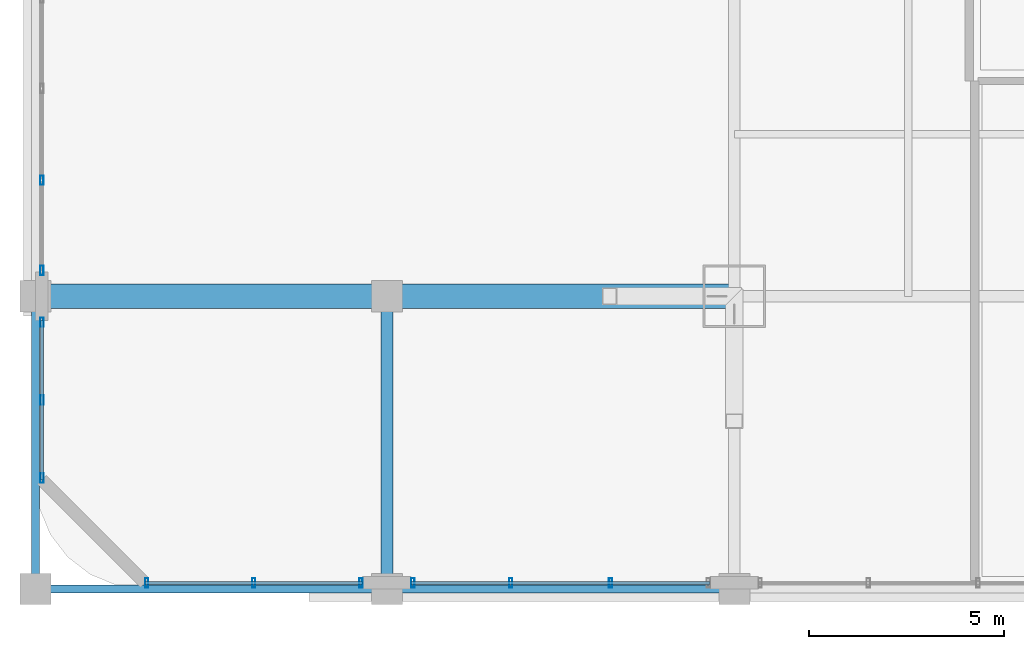
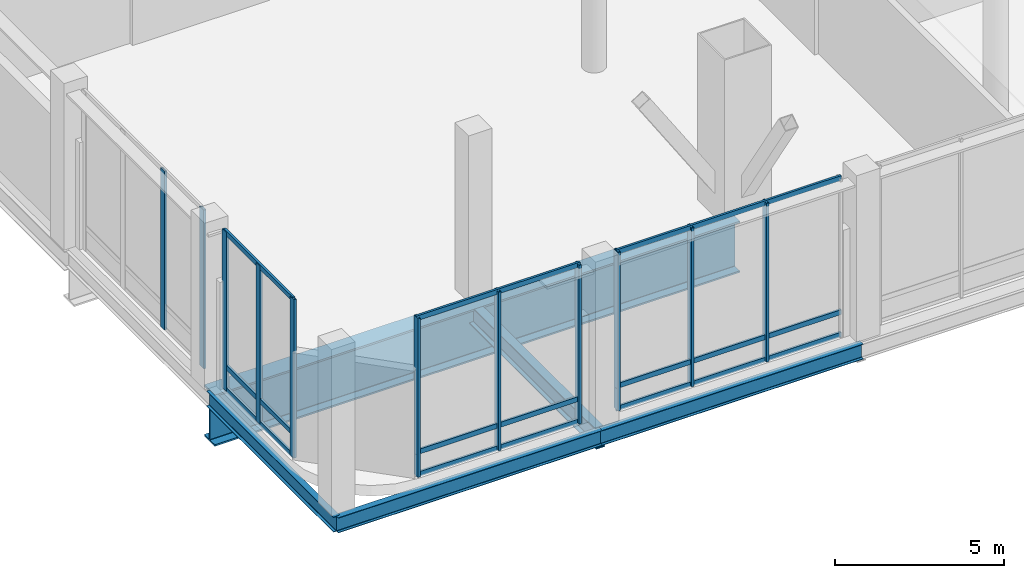
# One storey, part 2 of 38: 20 members, 5 beams, 4 elements without a shape of their own.
"""IFC4 building model written with IfcOpenShell, lengths in metres."""

from ifc_helpers import new_model, si_unit, direction, frame, origin, origin_2d, place, context, subcontext, project, spatial, hollow_rectangle, i_section, extrude, material, material_profile, profile_set, type_object, element, aggregate, save


model = new_model("IFC4")

# Units and contexts
model_context = context("Model", 3, precision=1e-05, world=origin(), true_north=direction((0.0, 1.0)))
body_context = subcontext(model_context, "Body", "Model", "MODEL_VIEW")
ifc_project = project(units=[si_unit("LENGTHUNIT", "METRE"), si_unit("AREAUNIT", "SQUARE_METRE"), si_unit("VOLUMEUNIT", "CUBIC_METRE"), si_unit("PLANEANGLEUNIT", "RADIAN"), si_unit("MASSUNIT", "GRAM", prefix="KILO")], contexts=[model_context])

# Site, building, storey
site_placement = place(None, origin())
site = spatial("IfcSite", under=ifc_project, at=site_placement, CompositionType="ELEMENT")
building_placement = place(site_placement, origin())
building = spatial("IfcBuilding", under=site, at=building_placement, Name="Punatoya Terracotta Tower", CompositionType="ELEMENT")
storey_placement = place(building_placement, frame((0.0, 0.0, 22.199951171875)))
storey = spatial("IfcBuildingStorey", under=building, at=storey_placement, Name="L04", CompositionType="ELEMENT", Elevation=22.199951171875)

# Beams
ifc_material_1 = material(Name="Steel S355", Category="steel")
ifc_material_profile_1 = material_profile(ifc_material_1, i_section(OverallWidth=0.300048828125, OverallDepth=0.699951171875, WebThickness=0.01708984375, FlangeThickness=0.031982421875, FilletRadius=0.01806640625, at=origin_2d()))
ifc_profile_set_1 = profile_set([ifc_material_profile_1], Name="Steel S355")
beam_type_1 = type_object("IfcBeamType", Name="BM-PRI-700", PredefinedType="BEAM", material=ifc_profile_set_1)
beam_1_placement = place(storey_placement, frame((-28.0, -25.0, -0.72998046875), z_axis=(0.0, 1.0, 0.0), x_axis=(-1.0, 0.0, 0.0)))
element("IfcBeam", 1, at=beam_1_placement, inside=storey, type_object=beam_type_1, Name="BM-L04-X28W--25", PredefinedType="BEAM", context=body_context, shape_type="SweptSolid", body=[
    extrude(i_section(OverallWidth=0.300048828125, OverallDepth=0.699951171875, WebThickness=0.01708984375, FlangeThickness=0.031982421875, FilletRadius=0.01806640625, at=origin_2d()), origin(), (0.0, 0.0, 1.0), 7.5),
])
ifc_material_profile_2 = material_profile(ifc_material_1, i_section(OverallWidth=0.2099609375, OverallDepth=0.550048828125, WebThickness=0.010986328125, FlangeThickness=0.01708984375, FilletRadius=0.01806640625, at=origin_2d()))
ifc_profile_set_2 = profile_set([ifc_material_profile_2], Name="Steel S355")
beam_type_2 = type_object("IfcBeamType", Name="BM-SPN-550", PredefinedType="SPANDREL", material=ifc_profile_set_2)
beam_2_placement = place(storey_placement, frame((-37.0, -25.0, -0.655029296875), z_axis=(1.0, 0.0, 0.0), x_axis=(0.0, 1.0, 0.0)))
element("IfcBeam", 2, at=beam_2_placement, inside=storey, type_object=beam_type_2, Name="BM-L04-AW1", PredefinedType="SPANDREL", context=body_context, shape_type="SweptSolid", body=[
    extrude(i_section(OverallWidth=0.2099609375, OverallDepth=0.550048828125, WebThickness=0.010986328125, FlangeThickness=0.01708984375, FilletRadius=0.01806640625, at=origin_2d()), origin(), (0.0, 0.0, 1.0), 9.0),
])
beam_3_placement = place(storey_placement, frame((-28.0, -25.0, -0.655029296875), z_axis=(1.0, 0.0, 0.0), x_axis=(0.0, 1.0, 0.0)))
element("IfcBeam", 3, at=beam_3_placement, inside=storey, type_object=beam_type_2, Name="BM-L04-AW2", PredefinedType="SPANDREL", context=body_context, shape_type="SweptSolid", body=[
    extrude(i_section(OverallWidth=0.2099609375, OverallDepth=0.550048828125, WebThickness=0.010986328125, FlangeThickness=0.01708984375, FilletRadius=0.01806640625, at=origin_2d()), origin(), (0.0, 0.0, 1.0), 8.89990234375),
])
beam_4_placement = place(storey_placement, frame((-37.0, -25.0, -0.655029296875), z_axis=(0.0, 1.0, 0.0), x_axis=(-1.0, 0.0, 0.0)))
element("IfcBeam", 4, at=beam_4_placement, inside=storey, type_object=beam_type_2, Name="BM-L04-X37W--25", PredefinedType="SPANDREL", context=body_context, shape_type="SweptSolid", body=[
    extrude(i_section(OverallWidth=0.2099609375, OverallDepth=0.550048828125, WebThickness=0.010986328125, FlangeThickness=0.01708984375, FilletRadius=0.01806640625, at=origin_2d()), origin(), (0.0, 0.0, 1.0), 7.5),
])
ifc_material_2 = material(Name="Steel S460", Category="steel")
ifc_material_profile_3 = material_profile(ifc_material_2, i_section(OverallWidth=0.6201171875, OverallDepth=1.85009765625, WebThickness=0.0400390625, FlangeThickness=0.06005859375, FilletRadius=0.01806640625, at=origin_2d()))
ifc_profile_set_3 = profile_set([ifc_material_profile_3], Name="Steel S460")
beam_type_3 = type_object("IfcBeamType", Name="BM-TG-AUD", PredefinedType="BEAM", material=ifc_profile_set_3)
beam_5_placement = place(storey_placement, frame((-37.0, -17.5, -1.304931640625), z_axis=(1.0, 0.0, 0.0), x_axis=(0.0, 1.0, 0.0)))
element("IfcBeam", 5, at=beam_5_placement, inside=storey, type_object=beam_type_3, Name="L04 Auditorium Transfer Girder TG-01 (B)", PredefinedType="BEAM", context=body_context, shape_type="SweptSolid", body=[
    extrude(i_section(OverallWidth=0.6201171875, OverallDepth=1.85009765625, WebThickness=0.0400390625, FlangeThickness=0.06005859375, FilletRadius=0.01806640625, at=origin_2d()), origin(), (0.0, 0.0, 1.0), 17.89990234375),
])

# Curtain wall, members
ifc_material_3 = material(Name="Aluminium 6063-T6 + Double Low-E Glass", Category="aluminium")
curtain_wall_type = type_object("IfcCurtainWallType", Name="CW-POD", PredefinedType="NOTDEFINED", material=ifc_material_3)
curtain_wall_1_placement = place(storey_placement, origin())
curtain_wall_1 = element("IfcCurtainWall", 6, at=curtain_wall_1_placement, inside=storey, type_object=curtain_wall_type, Name="L04 Curtain Wall CWP-L04-S1", PredefinedType="NOTDEFINED")
ifc_material_4 = material(Name="Aluminium 6063-T6", Category="aluminium")
ifc_material_profile_4 = material_profile(ifc_material_4, hollow_rectangle(XDim=0.0849609375, YDim=0.239990234375, WallThickness=0.0048828125, at=origin_2d()))
ifc_profile_set_4 = profile_set([ifc_material_profile_4], Name="Aluminium 6063-T6")
member_type_1 = type_object("IfcMemberType", Name="CW-MUL-POD", PredefinedType="MULLION", material=ifc_profile_set_4)
member_1_placement = place(storey_placement, frame((-34.155029296875, -24.840087890625, 0.0), z_axis=(0.0, 0.0, 1.0), x_axis=(1.0, 0.0, 0.0)))
member_1 = element("IfcMember", 7, at=member_1_placement, type_object=member_type_1, Name="CWP-L04-S1 Mullion 00", PredefinedType="MULLION", context=body_context, shape_type="SweptSolid", body=[
    extrude(hollow_rectangle(XDim=0.0849609375, YDim=0.239990234375, WallThickness=0.0048828125, at=origin_2d()), origin(), (0.0, 0.0, 1.0), 5.719970703125),
])
member_2_placement = place(storey_placement, frame((-31.409912109375, -24.840087890625, 0.0), z_axis=(0.0, 0.0, 1.0), x_axis=(1.0, 0.0, 0.0)))
member_2 = element("IfcMember", 8, at=member_2_placement, type_object=member_type_1, Name="CWP-L04-S1 Mullion 01", PredefinedType="MULLION", context=body_context, shape_type="SweptSolid", body=[
    extrude(hollow_rectangle(XDim=0.0849609375, YDim=0.239990234375, WallThickness=0.0048828125, at=origin_2d()), origin(), (0.0, 0.0, 1.0), 5.719970703125),
])
member_3_placement = place(storey_placement, frame((-28.6650390625, -24.840087890625, 0.0), z_axis=(0.0, 0.0, 1.0), x_axis=(1.0, 0.0, 0.0)))
member_3 = element("IfcMember", 9, at=member_3_placement, type_object=member_type_1, Name="CWP-L04-S1 Mullion 02", PredefinedType="MULLION", context=body_context, shape_type="SweptSolid", body=[
    extrude(hollow_rectangle(XDim=0.0849609375, YDim=0.239990234375, WallThickness=0.0048828125, at=origin_2d()), origin(), (0.0, 0.0, 1.0), 5.719970703125),
])

curtain_wall_2_placement = place(storey_placement, origin())
curtain_wall_2 = element("IfcCurtainWall", 10, at=curtain_wall_2_placement, inside=storey, type_object=curtain_wall_type, Name="L04 Curtain Wall CWP-L04-S2", PredefinedType="NOTDEFINED")
member_4_placement = place(storey_placement, frame((-27.3349609375, -24.840087890625, 0.0), z_axis=(0.0, 0.0, 1.0), x_axis=(1.0, 0.0, 0.0)))
member_4 = element("IfcMember", 11, at=member_4_placement, type_object=member_type_1, Name="CWP-L04-S2 Mullion 00", PredefinedType="MULLION", context=body_context, shape_type="SweptSolid", body=[
    extrude(hollow_rectangle(XDim=0.0849609375, YDim=0.239990234375, WallThickness=0.0048828125, at=origin_2d()), origin(), (0.0, 0.0, 1.0), 5.719970703125),
])
member_5_placement = place(storey_placement, frame((-24.82666015625, -24.840087890625, 0.0), z_axis=(0.0, 0.0, 1.0), x_axis=(1.0, 0.0, 0.0)))
member_5 = element("IfcMember", 12, at=member_5_placement, type_object=member_type_1, Name="CWP-L04-S2 Mullion 01", PredefinedType="MULLION", context=body_context, shape_type="SweptSolid", body=[
    extrude(hollow_rectangle(XDim=0.0849609375, YDim=0.239990234375, WallThickness=0.0048828125, at=origin_2d()), origin(), (0.0, 0.0, 1.0), 5.719970703125),
])
member_6_placement = place(storey_placement, frame((-22.273193359375, -24.840087890625, 0.0), z_axis=(0.0, 0.0, 1.0), x_axis=(1.0, 0.0, 0.0)))
member_6 = element("IfcMember", 13, at=member_6_placement, type_object=member_type_1, Name="CWP-L04-S2 Mullion 02", PredefinedType="MULLION", context=body_context, shape_type="SweptSolid", body=[
    extrude(hollow_rectangle(XDim=0.0849609375, YDim=0.239990234375, WallThickness=0.0048828125, at=origin_2d()), origin(), (0.0, 0.0, 1.0), 5.719970703125),
])

curtain_wall_3_placement = place(storey_placement, origin())
curtain_wall_3 = element("IfcCurtainWall", 14, at=curtain_wall_3_placement, inside=storey, type_object=curtain_wall_type, Name="L04 Curtain Wall CWP-L04-W1", PredefinedType="NOTDEFINED")
member_7_placement = place(storey_placement, frame((-36.840087890625, -22.155029296875, 0.0), z_axis=(0.0, 0.0, 1.0), x_axis=(1.0, 0.0, 0.0)))
member_7 = element("IfcMember", 15, at=member_7_placement, type_object=member_type_1, Name="CWP-L04-W1 Mullion 00", PredefinedType="MULLION", context=body_context, shape_type="SweptSolid", body=[
    extrude(hollow_rectangle(XDim=0.0849609375, YDim=0.239990234375, WallThickness=0.0048828125, at=origin_2d()), origin(), (0.0, 0.0, 1.0), 5.719970703125),
])
member_8_placement = place(storey_placement, frame((-36.840087890625, -20.159912109375, 0.0), z_axis=(0.0, 0.0, 1.0), x_axis=(1.0, 0.0, 0.0)))
member_8 = element("IfcMember", 16, at=member_8_placement, type_object=member_type_1, Name="CWP-L04-W1 Mullion 01", PredefinedType="MULLION", context=body_context, shape_type="SweptSolid", body=[
    extrude(hollow_rectangle(XDim=0.0849609375, YDim=0.239990234375, WallThickness=0.0048828125, at=origin_2d()), origin(), (0.0, 0.0, 1.0), 5.719970703125),
])
member_9_placement = place(storey_placement, frame((-36.840087890625, -18.1650390625, 0.0), z_axis=(0.0, 0.0, 1.0), x_axis=(1.0, 0.0, 0.0)))
member_9 = element("IfcMember", 17, at=member_9_placement, type_object=member_type_1, Name="CWP-L04-W1 Mullion 02", PredefinedType="MULLION", context=body_context, shape_type="SweptSolid", body=[
    extrude(hollow_rectangle(XDim=0.0849609375, YDim=0.239990234375, WallThickness=0.0048828125, at=origin_2d()), origin(), (0.0, 0.0, 1.0), 5.719970703125),
])

curtain_wall_4_placement = place(storey_placement, origin())
curtain_wall_4 = element("IfcCurtainWall", 18, at=curtain_wall_4_placement, inside=storey, type_object=curtain_wall_type, Name="L04 Curtain Wall CWP-L04-W2", PredefinedType="NOTDEFINED")
member_10_placement = place(storey_placement, frame((-36.840087890625, -16.8349609375, 0.0), z_axis=(0.0, 0.0, 1.0), x_axis=(1.0, 0.0, 0.0)))
member_10 = element("IfcMember", 19, at=member_10_placement, type_object=member_type_1, Name="CWP-L04-W2 Mullion 00", PredefinedType="MULLION", context=body_context, shape_type="SweptSolid", body=[
    extrude(hollow_rectangle(XDim=0.0849609375, YDim=0.239990234375, WallThickness=0.0048828125, at=origin_2d()), origin(), (0.0, 0.0, 1.0), 5.719970703125),
])
member_11_placement = place(storey_placement, frame((-36.840087890625, -14.526611328125, 0.0), z_axis=(0.0, 0.0, 1.0), x_axis=(1.0, 0.0, 0.0)))
member_11 = element("IfcMember", 20, at=member_11_placement, type_object=member_type_1, Name="CWP-L04-W2 Mullion 01", PredefinedType="MULLION", context=body_context, shape_type="SweptSolid", body=[
    extrude(hollow_rectangle(XDim=0.0849609375, YDim=0.239990234375, WallThickness=0.0048828125, at=origin_2d()), origin(), (0.0, 0.0, 1.0), 5.719970703125),
])
aggregate(curtain_wall_4, [member_10, member_11])

# Member
ifc_material_profile_5 = material_profile(ifc_material_4, hollow_rectangle(XDim=0.074951171875, YDim=0.175048828125, WallThickness=0.00439453125, at=origin_2d()))
ifc_profile_set_5 = profile_set([ifc_material_profile_5], Name="Aluminium 6063-T6")
member_type_2 = type_object("IfcMemberType", Name="CW-TRN-POD", PredefinedType="USERDEFINED", material=ifc_profile_set_5)
member_12_placement = place(storey_placement, frame((-34.199951171875, -24.840087890625, 0.0400390625), z_axis=(1.0, 0.0, 0.0), x_axis=(0.0, 1.0, 0.0)))
member_12 = element("IfcMember", 21, at=member_12_placement, type_object=member_type_2, Name="CWP-L04-S1 Transom 1", ObjectType="TRANSOM", PredefinedType="USERDEFINED", context=body_context, shape_type="SweptSolid", body=[
    extrude(hollow_rectangle(XDim=0.074951171875, YDim=0.175048828125, WallThickness=0.00439453125, at=origin_2d()), origin(), (0.0, 0.0, 1.0), 5.579833984375),
])

member_13_placement = place(storey_placement, frame((-34.199951171875, -24.840087890625, 0.85009765625), z_axis=(1.0, 0.0, 0.0), x_axis=(0.0, 1.0, 0.0)))
member_13 = element("IfcMember", 22, at=member_13_placement, type_object=member_type_2, Name="CWP-L04-S1 Transom 2", ObjectType="TRANSOM", PredefinedType="USERDEFINED", context=body_context, shape_type="SweptSolid", body=[
    extrude(hollow_rectangle(XDim=0.074951171875, YDim=0.175048828125, WallThickness=0.00439453125, at=origin_2d()), origin(), (0.0, 0.0, 1.0), 5.579833984375),
])

member_14_placement = place(storey_placement, frame((-34.199951171875, -24.840087890625, 5.679931640625), z_axis=(1.0, 0.0, 0.0), x_axis=(0.0, 1.0, 0.0)))
member_14 = element("IfcMember", 23, at=member_14_placement, type_object=member_type_2, Name="CWP-L04-S1 Transom 3", ObjectType="TRANSOM", PredefinedType="USERDEFINED", context=body_context, shape_type="SweptSolid", body=[
    extrude(hollow_rectangle(XDim=0.074951171875, YDim=0.175048828125, WallThickness=0.00439453125, at=origin_2d()), origin(), (0.0, 0.0, 1.0), 5.579833984375),
])

aggregate(curtain_wall_1, [member_1, member_2, member_3, member_12, member_13, member_14])

member_15_placement = place(storey_placement, frame((-27.3798828125, -24.840087890625, 0.0400390625), z_axis=(1.0, 0.0, 0.0), x_axis=(0.0, 1.0, 0.0)))
member_15 = element("IfcMember", 24, at=member_15_placement, type_object=member_type_2, Name="CWP-L04-S2 Transom 1", ObjectType="TRANSOM", PredefinedType="USERDEFINED", context=body_context, shape_type="SweptSolid", body=[
    extrude(hollow_rectangle(XDim=0.074951171875, YDim=0.175048828125, WallThickness=0.00439453125, at=origin_2d()), origin(), (0.0, 0.0, 1.0), 7.659912109375),
])

member_16_placement = place(storey_placement, frame((-27.3798828125, -24.840087890625, 0.85009765625), z_axis=(1.0, 0.0, 0.0), x_axis=(0.0, 1.0, 0.0)))
member_16 = element("IfcMember", 25, at=member_16_placement, type_object=member_type_2, Name="CWP-L04-S2 Transom 2", ObjectType="TRANSOM", PredefinedType="USERDEFINED", context=body_context, shape_type="SweptSolid", body=[
    extrude(hollow_rectangle(XDim=0.074951171875, YDim=0.175048828125, WallThickness=0.00439453125, at=origin_2d()), origin(), (0.0, 0.0, 1.0), 7.659912109375),
])

member_17_placement = place(storey_placement, frame((-27.3798828125, -24.840087890625, 5.679931640625), z_axis=(1.0, 0.0, 0.0), x_axis=(0.0, 1.0, 0.0)))
member_17 = element("IfcMember", 26, at=member_17_placement, type_object=member_type_2, Name="CWP-L04-S2 Transom 3", ObjectType="TRANSOM", PredefinedType="USERDEFINED", context=body_context, shape_type="SweptSolid", body=[
    extrude(hollow_rectangle(XDim=0.074951171875, YDim=0.175048828125, WallThickness=0.00439453125, at=origin_2d()), origin(), (0.0, 0.0, 1.0), 7.659912109375),
])

aggregate(curtain_wall_2, [member_4, member_5, member_6, member_15, member_16, member_17])

member_18_placement = place(storey_placement, frame((-36.840087890625, -22.199951171875, 0.0400390625), z_axis=(0.0, 1.0, 0.0), x_axis=(-1.0, 0.0, 0.0)))
member_18 = element("IfcMember", 27, at=member_18_placement, type_object=member_type_2, Name="CWP-L04-W1 Transom 1", ObjectType="TRANSOM", PredefinedType="USERDEFINED", context=body_context, shape_type="SweptSolid", body=[
    extrude(hollow_rectangle(XDim=0.074951171875, YDim=0.175048828125, WallThickness=0.00439453125, at=origin_2d()), origin(), (0.0, 0.0, 1.0), 4.079833984375),
])

member_19_placement = place(storey_placement, frame((-36.840087890625, -22.199951171875, 0.85009765625), z_axis=(0.0, 1.0, 0.0), x_axis=(-1.0, 0.0, 0.0)))
member_19 = element("IfcMember", 28, at=member_19_placement, type_object=member_type_2, Name="CWP-L04-W1 Transom 2", ObjectType="TRANSOM", PredefinedType="USERDEFINED", context=body_context, shape_type="SweptSolid", body=[
    extrude(hollow_rectangle(XDim=0.074951171875, YDim=0.175048828125, WallThickness=0.00439453125, at=origin_2d()), origin(), (0.0, 0.0, 1.0), 4.079833984375),
])

member_20_placement = place(storey_placement, frame((-36.840087890625, -22.199951171875, 5.679931640625), z_axis=(0.0, 1.0, 0.0), x_axis=(-1.0, 0.0, 0.0)))
member_20 = element("IfcMember", 29, at=member_20_placement, type_object=member_type_2, Name="CWP-L04-W1 Transom 3", ObjectType="TRANSOM", PredefinedType="USERDEFINED", context=body_context, shape_type="SweptSolid", body=[
    extrude(hollow_rectangle(XDim=0.074951171875, YDim=0.175048828125, WallThickness=0.00439453125, at=origin_2d()), origin(), (0.0, 0.0, 1.0), 4.079833984375),
])

aggregate(curtain_wall_3, [member_7, member_8, member_9, member_18, member_19, member_20])

save(model, "model.ifc")
